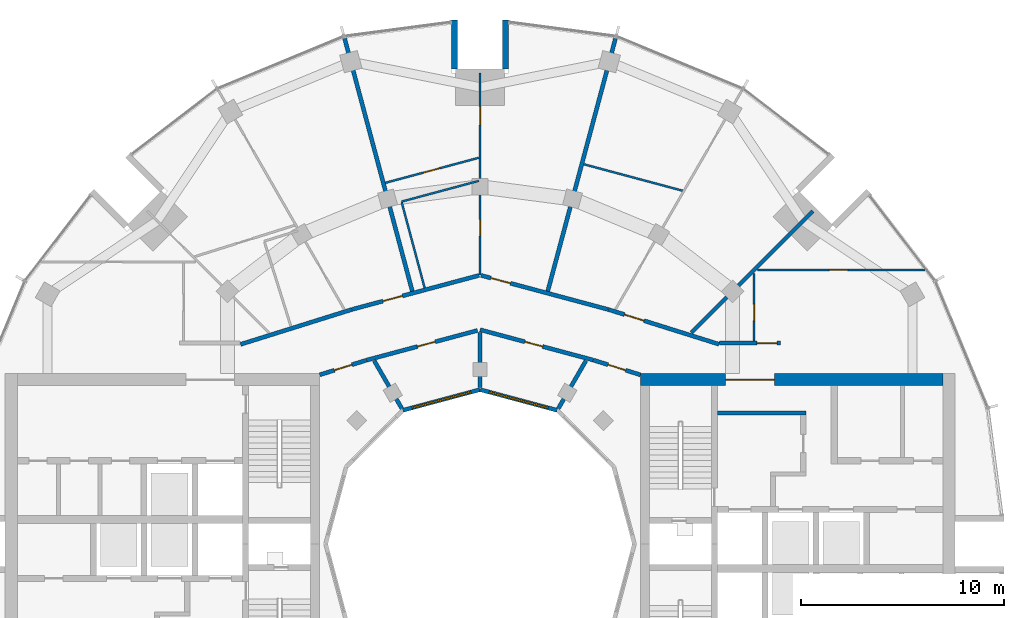
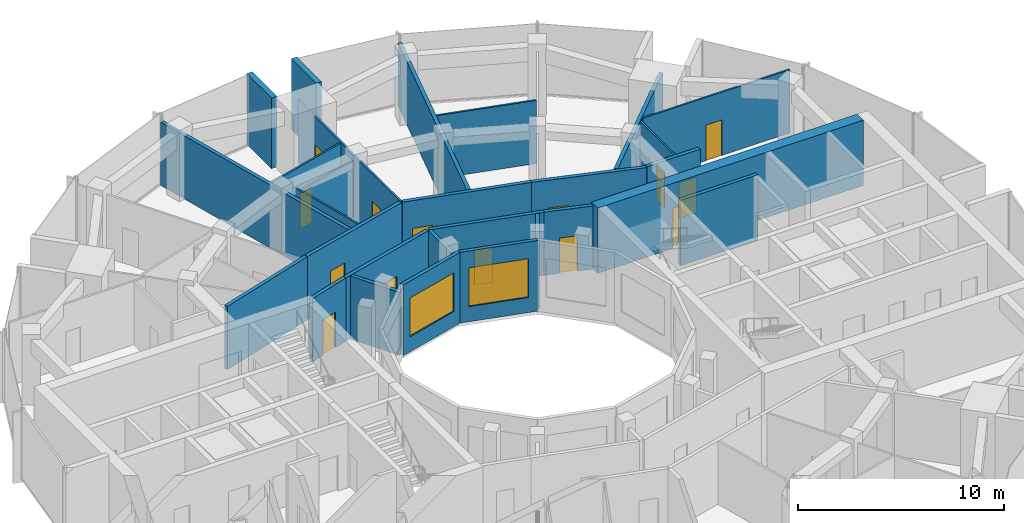
# One storey, part 12 of 15: 28 walls, 14 doors, 2 windows, 16 openings.
"""IFC4 building model written with IfcOpenShell, lengths in metres."""

from ifc_helpers import new_model, si_unit, direction, frame, frame_2d, origin, place, context, subcontext, project, spatial, rectangle, extrude, material, layer, layer_set, type_object, element, fill, save


model = new_model("IFC4")

# Units and contexts
model_context = context("Model", 3, precision=1e-05, world=origin(), true_north=direction((0.0, 1.0)))
body_context = subcontext(model_context, "Body", "Model", "MODEL_VIEW")
ifc_project = project(units=[si_unit("LENGTHUNIT", "METRE"), si_unit("AREAUNIT", "SQUARE_METRE"), si_unit("VOLUMEUNIT", "CUBIC_METRE"), si_unit("PLANEANGLEUNIT", "RADIAN"), si_unit("MASSUNIT", "GRAM", prefix="KILO")], contexts=[model_context])

# Site, building, storey
site_placement = place(None, origin())
site = spatial("IfcSite", under=ifc_project, at=site_placement, CompositionType="ELEMENT")
building_placement = place(site_placement, origin())
building = spatial("IfcBuilding", under=site, at=building_placement, Name="Torre Brocal", CompositionType="ELEMENT")
storey_placement = place(building_placement, frame((0.0, 0.0, 220.89990234375)))
storey = spatial("IfcBuildingStorey", under=building, at=storey_placement, Name="L51", CompositionType="ELEMENT", Elevation=220.89990234375)

# Wall
ifc_material_1 = material(Name="Concrete C60", Category="concrete")
ifc_layer_1 = layer(ifc_material_1, 0.199951171875)
ifc_layer_set_1 = layer_set([ifc_layer_1], Name="Concrete C60")
wall_type_1 = type_object("IfcWallType", Name="CORE WALL 200 C60", PredefinedType="SHEAR", material=ifc_layer_set_1)
wall_1_placement = place(storey_placement, frame((91.699951171875, 81.449951171875, 0.0), z_axis=(0.0, 0.0, 1.0), x_axis=(1.0, 0.0, 0.0)))
element("IfcWall", 1, at=wall_1_placement, inside=storey, type_object=wall_type_1, Name="Wall CW200-60", PredefinedType="SHEAR", context=body_context, shape_type="SweptSolid", body=[
    extrude(rectangle(XDim=4.35009765625, YDim=0.199951171875, at=frame_2d((2.175048828125, 0.0))), origin(), (0.0, 0.0, 1.0), 3.880126953125),
])

# Wall, opening, door
ifc_material_2 = material(Name="Concrete C60", Category="concrete")
ifc_layer_2 = layer(ifc_material_2, 0.60009765625)
ifc_layer_set_2 = layer_set([ifc_layer_2], Name="Concrete C60")
wall_type_2 = type_object("IfcWallType", Name="CORE WALL 600 C60", PredefinedType="SHEAR", material=ifc_layer_set_2)
wall_2_placement = place(storey_placement, frame((87.89990234375, 83.10009765625, 0.0), z_axis=(0.0, 0.0, 1.0), x_axis=(1.0, 0.0, 0.0)))
wall_2 = element("IfcWall", 2, at=wall_2_placement, inside=storey, type_object=wall_type_2, Name="Wall CW600-60", PredefinedType="SHEAR", context=body_context, shape_type="SweptSolid", body=[
    extrude(rectangle(XDim=14.900146484375, YDim=0.60009765625, at=frame_2d((7.4501953125, 0.0))), origin(), (0.0, 0.0, 1.0), 3.880126953125),
])
opening_1_placement = place(wall_2_placement, frame((4.199951171875, 0.0, 0.0)))
opening_1 = element("IfcOpeningElement", 3, at=opening_1_placement, cuts=wall_2, Name="Opening E-D34", PredefinedType="OPENING", context=body_context, shape_type="SweptSolid", body=[
    extrude(rectangle(XDim=2.39990234375, YDim=2.39990234375, at=frame_2d((1.199951171875, 1.199951171875))), frame((0.0, 0.31005859375, 0.0), z_axis=(0.0, -1.0, 0.0), x_axis=(1.0, 0.0, 0.0)), (0.0, 0.0, 1.0), 0.6201171875),
])
ifc_material_3 = material(Name="Steel A653", Category="steel")
door_type_1 = type_object("IfcDoorType", Name="DOUBLE FIRE DOOR FD90 2400X2400", OperationType="DOUBLE_DOOR_SINGLE_SWING", PredefinedType="DOOR", material=ifc_material_3)
door_1_placement = place(opening_1_placement, frame((2.39990234375, 0.0, 0.0), z_axis=(0.0, 0.0, 1.0), x_axis=(-1.0, 0.0, 0.0)))
door_1 = element("IfcDoor", 4, at=door_1_placement, inside=storey, type_object=door_type_1, Name="Door E-D34", OperationType="DOUBLE_DOOR_SINGLE_SWING", OverallHeight=2.39990234375, OverallWidth=2.39990234375, PredefinedType="DOOR", context=body_context, shape_type="SweptSolid", body=[
    extrude(rectangle(XDim=2.39990234375, YDim=2.39990234375, at=frame_2d((1.199951171875, 1.199951171875))), frame((0.0, 0.02490234375, 0.0), z_axis=(0.0, -1.0, 0.0), x_axis=(1.0, 0.0, 0.0)), (0.0, 0.0, 1.0), 0.050048828125),
])
fill(opening_1, door_1)

# Walls
ifc_material_4 = material(Name="Concrete C60", Category="concrete")
ifc_layer_3 = layer(ifc_material_4, 0.300048828125)
ifc_layer_set_3 = layer_set([ifc_layer_3], Name="Concrete C60")
wall_type_3 = type_object("IfcWallType", Name="NOTCH RETURN WALL 300 C60", PredefinedType="NOTDEFINED", material=ifc_layer_set_3)
for number, where, z_axis, x_axis, name in (
    (5, (81.25, 98.39990234375, 0.0), (0.0, 0.0, 1.0), (0.0, 1.0, 0.0), "NOTCH RETURN WALL"),
    (6, (78.75, 98.39990234375, 0.0), (0.0, 0.0, 1.0), (0.0, 1.0, 0.0), "NOTCH RETURN WALL"),
):
    element("IfcWall", number, at=place(storey_placement, frame(where, z_axis=z_axis, x_axis=x_axis)), inside=storey, type_object=wall_type_3, Name=name, PredefinedType="NOTDEFINED", context=body_context, shape_type="SweptSolid", body=[
        extrude(rectangle(XDim=2.415771484375, YDim=0.300048828125, at=frame_2d((1.2080078125, 0.0))), origin(), (0.0, 0.0, 1.0), 4.2001953125),
    ])

# Wall, opening, door
ifc_material_5 = material(Name="Gypsum board", Category="Gypsum")
ifc_layer_4 = layer(ifc_material_5, 0.10009765625)
ifc_layer_set_4 = layer_set([ifc_layer_4], Name="Gypsum board")
wall_type_4 = type_object("IfcWallType", Name="PARTITION 100", PredefinedType="PARTITIONING", material=ifc_layer_set_4)
wall_3_placement = place(storey_placement, frame((75.336669921875, 92.79296875, 0.0), z_axis=(0.0, 0.0, 1.0), x_axis=(0.965840336715, 0.259137886026, 0.0)))
wall_3 = element("IfcWall", 7, at=wall_3_placement, inside=storey, type_object=wall_type_4, Name="BATHROOM WALL", PredefinedType="PARTITIONING", context=body_context, shape_type="SweptSolid", body=[
    extrude(rectangle(XDim=4.76806640625, YDim=0.10009765625, at=frame_2d((2.384033203125, 0.0))), origin(), (0.0, 0.0, 1.0), 3.75),
])
opening_2_placement = place(wall_3_placement, frame((1.964111328125, 0.0, 0.0)))
opening_2 = element("IfcOpeningElement", 8, at=opening_2_placement, cuts=wall_3, Name="Opening B02-D09", PredefinedType="OPENING", context=body_context, shape_type="SweptSolid", body=[
    extrude(rectangle(XDim=0.800048828125, YDim=2.10009765625, at=frame_2d((0.39990234375, 1.050048828125))), frame((0.0, 0.06005859375, 0.0), z_axis=(0.0, -1.0, 0.0), x_axis=(1.0, 0.0, 0.0)), (0.0, 0.0, 1.0), 0.1201171875),
])
ifc_material_6 = material(Name="Timber", Category="wood")
door_type_2 = type_object("IfcDoorType", Name="BATHROOM DOOR 800X2100", OperationType="SINGLE_SWING_LEFT", PredefinedType="DOOR", material=ifc_material_6)
door_2_placement = place(opening_2_placement, frame((0.800048828125, 0.0, 0.0), z_axis=(0.0, 0.0, 1.0), x_axis=(-1.0, 0.0, 0.0)))
door_2 = element("IfcDoor", 9, at=door_2_placement, inside=storey, type_object=door_type_2, Name="B02-D09", OperationType="SINGLE_SWING_LEFT", OverallHeight=2.10009765625, OverallWidth=0.800048828125, PredefinedType="DOOR", context=body_context, shape_type="SweptSolid", body=[
    extrude(rectangle(XDim=0.800048828125, YDim=2.10009765625, at=frame_2d((0.39990234375, 1.050048828125))), frame((0.0, 0.02490234375, 0.0), z_axis=(0.0, -1.0, 0.0), x_axis=(1.0, 0.0, 0.0)), (0.0, 0.0, 1.0), 0.050048828125),
])
fill(opening_2, door_2)

# Wall
wall_4_placement = place(storey_placement, frame((76.14306640625, 91.818603515625, 0.0), z_axis=(0.0, 0.0, 1.0), x_axis=(0.259115794116, -0.965846263771, 0.0)))
element("IfcWall", 10, at=wall_4_placement, inside=storey, type_object=wall_type_4, Name="BATHROOM WALL", PredefinedType="PARTITIONING", context=body_context, shape_type="SweptSolid", body=[
    extrude(rectangle(XDim=4.34912109375, YDim=0.10009765625, at=frame_2d((2.174560546875, 0.0))), origin(), (0.0, 0.0, 1.0), 3.75),
])

# Wall, openings, doors
wall_5_placement = place(storey_placement, frame((80.0, 88.24609375, 0.0), z_axis=(0.0, 0.0, 1.0), x_axis=(0.0, 1.0, 0.0)))
wall_5 = element("IfcWall", 11, at=wall_5_placement, inside=storey, type_object=wall_type_4, Name="BATHROOM WALL", PredefinedType="PARTITIONING", context=body_context, shape_type="SweptSolid", body=[
    extrude(rectangle(XDim=9.953857421875, YDim=0.10009765625, at=frame_2d((4.97705078125, 0.0))), origin(), (0.0, 0.0, 1.0), 3.75),
])
opening_3_placement = place(wall_5_placement, frame((7.40087890625, 0.0, 0.0)))
opening_3 = element("IfcOpeningElement", 12, at=opening_3_placement, cuts=wall_5, Name="Opening B02-D08", PredefinedType="OPENING", context=body_context, shape_type="SweptSolid", body=[
    extrude(rectangle(XDim=0.89990234375, YDim=2.10009765625, at=frame_2d((0.449951171875, 1.050048828125))), frame((0.0, 0.06005859375, 0.0), z_axis=(0.0, -1.0, 0.0), x_axis=(1.0, 0.0, 0.0)), (0.0, 0.0, 1.0), 0.1201171875),
])
opening_4_placement = place(wall_5_placement, frame((1.939453125, 0.0, 0.0)))
opening_4 = element("IfcOpeningElement", 13, at=opening_4_placement, cuts=wall_5, Name="Opening B02-D10", PredefinedType="OPENING", context=body_context, shape_type="SweptSolid", body=[
    extrude(rectangle(XDim=0.800048828125, YDim=2.10009765625, at=frame_2d((0.39990234375, 1.050048828125))), frame((0.0, 0.06005859375, 0.0), z_axis=(0.0, -1.0, 0.0), x_axis=(1.0, 0.0, 0.0)), (0.0, 0.0, 1.0), 0.1201171875),
])
door_3_placement = place(opening_4_placement, origin())
door_3 = element("IfcDoor", 14, at=door_3_placement, inside=storey, type_object=door_type_2, Name="B02-D10", OperationType="SINGLE_SWING_RIGHT", OverallHeight=2.10009765625, OverallWidth=0.800048828125, PredefinedType="DOOR", context=body_context, shape_type="SweptSolid", body=[
    extrude(rectangle(XDim=0.800048828125, YDim=2.10009765625, at=frame_2d((0.39990234375, 1.050048828125))), frame((0.0, 0.02490234375, 0.0), z_axis=(0.0, -1.0, 0.0), x_axis=(1.0, 0.0, 0.0)), (0.0, 0.0, 1.0), 0.050048828125),
])
fill(opening_4, door_3)
ifc_material_7 = material(Name="Timber", Category="wood")
door_type_3 = type_object("IfcDoorType", Name="ROOM DOOR 900X2100", OperationType="SINGLE_SWING_LEFT", PredefinedType="DOOR", material=ifc_material_7)
door_4_placement = place(opening_3_placement, origin())
door_4 = element("IfcDoor", 15, at=door_4_placement, inside=storey, type_object=door_type_3, Name="B02-D08", OperationType="SINGLE_SWING_RIGHT", OverallHeight=2.10009765625, OverallWidth=0.89990234375, PredefinedType="DOOR", context=body_context, shape_type="SweptSolid", body=[
    extrude(rectangle(XDim=0.89990234375, YDim=2.10009765625, at=frame_2d((0.449951171875, 1.050048828125))), frame((0.0, 0.02490234375, 0.0), z_axis=(0.0, -1.0, 0.0), x_axis=(1.0, 0.0, 0.0)), (0.0, 0.0, 1.0), 0.050048828125),
])
fill(opening_3, door_4)

# Wall
wall_6_placement = place(storey_placement, frame((85.115478515625, 93.70703125, 0.0), z_axis=(0.0, 0.0, 1.0), x_axis=(0.965985898153, -0.258594749694, 0.0)))
element("IfcWall", 16, at=wall_6_placement, inside=storey, type_object=wall_type_4, Name="BATHROOM WALL", PredefinedType="PARTITIONING", context=body_context, shape_type="SweptSolid", body=[
    extrude(rectangle(XDim=5.036865234375, YDim=0.10009765625, at=frame_2d((2.5185546875, 0.0))), origin(), (0.0, 0.0, 1.0), 3.75),
])

# Wall, opening, door
wall_7_placement = place(storey_placement, frame((93.5, 85.0, 0.0), z_axis=(0.0, 0.0, 1.0), x_axis=(0.0, 1.0, 0.0)))
wall_7 = element("IfcWall", 17, at=wall_7_placement, inside=storey, type_object=wall_type_4, Name="BATHROOM WALL", PredefinedType="PARTITIONING", context=body_context, shape_type="SweptSolid", body=[
    extrude(rectangle(XDim=3.319091796875, YDim=0.10009765625, at=frame_2d((1.65966796875, 0.0))), origin(), (0.0, 0.0, 1.0), 3.75),
])
opening_5_placement = place(wall_7_placement, frame((0.99951171875, 0.0, 0.0)))
opening_5 = element("IfcOpeningElement", 18, at=opening_5_placement, cuts=wall_7, Name="Opening B02-D03", PredefinedType="OPENING", context=body_context, shape_type="SweptSolid", body=[
    extrude(rectangle(XDim=0.800048828125, YDim=2.10009765625, at=frame_2d((0.39990234375, 1.050048828125))), frame((0.0, 0.06005859375, 0.0), z_axis=(0.0, -1.0, 0.0), x_axis=(1.0, 0.0, 0.0)), (0.0, 0.0, 1.0), 0.1201171875),
])
door_5_placement = place(opening_5_placement, origin())
door_5 = element("IfcDoor", 19, at=door_5_placement, inside=storey, type_object=door_type_2, Name="B02-D03", OperationType="SINGLE_SWING_LEFT", OverallHeight=2.10009765625, OverallWidth=0.800048828125, PredefinedType="DOOR", context=body_context, shape_type="SweptSolid", body=[
    extrude(rectangle(XDim=0.800048828125, YDim=2.10009765625, at=frame_2d((0.39990234375, 1.050048828125))), frame((0.0, 0.02490234375, 0.0), z_axis=(0.0, -1.0, 0.0), x_axis=(1.0, 0.0, 0.0)), (0.0, 0.0, 1.0), 0.050048828125),
])
fill(opening_5, door_5)

wall_8_placement = place(storey_placement, frame((93.680908203125, 88.5, 0.0), z_axis=(0.0, 0.0, 1.0), x_axis=(1.0, 0.0, 0.0)))
wall_8 = element("IfcWall", 20, at=wall_8_placement, inside=storey, type_object=wall_type_4, Name="ROOM PARTITION", PredefinedType="PARTITIONING", context=body_context, shape_type="SweptSolid", body=[
    extrude(rectangle(XDim=8.2470703125, YDim=0.10009765625, at=frame_2d((4.12353515625, 0.0))), origin(), (0.0, 0.0, 1.0), 3.75),
])
opening_6_placement = place(wall_8_placement, frame((3.534912109375, 0.0, 0.0)))
opening_6 = element("IfcOpeningElement", 21, at=opening_6_placement, cuts=wall_8, Name="Opening B02-D01", PredefinedType="OPENING", context=body_context, shape_type="SweptSolid", body=[
    extrude(rectangle(XDim=0.89990234375, YDim=2.10009765625, at=frame_2d((0.449951171875, 1.050048828125))), frame((0.0, 0.06005859375, 0.0), z_axis=(0.0, -1.0, 0.0), x_axis=(1.0, 0.0, 0.0)), (0.0, 0.0, 1.0), 0.1201171875),
])
door_6_placement = place(opening_6_placement, origin())
door_6 = element("IfcDoor", 22, at=door_6_placement, inside=storey, type_object=door_type_3, Name="B02-D01", OperationType="SINGLE_SWING_LEFT", OverallHeight=2.10009765625, OverallWidth=0.89990234375, PredefinedType="DOOR", context=body_context, shape_type="SweptSolid", body=[
    extrude(rectangle(XDim=0.89990234375, YDim=2.10009765625, at=frame_2d((0.449951171875, 1.050048828125))), frame((0.0, 0.02490234375, 0.0), z_axis=(0.0, -1.0, 0.0), x_axis=(1.0, 0.0, 0.0)), (0.0, 0.0, 1.0), 0.050048828125),
])
fill(opening_6, door_6)

# Walls
ifc_material_8 = material(Name="Gypsum board", Category="Gypsum")
ifc_layer_5 = layer(ifc_material_8, 0.10009765625)
ifc_layer_set_5 = layer_set([ifc_layer_5], Name="Gypsum board")
wall_type_5 = type_object("IfcWallType", Name="PARTITION 100 UNDER BEAM 820", PredefinedType="PARTITIONING", material=ifc_layer_set_5)
wall_9_placement = place(storey_placement, frame((76.1298828125, 91.866943359375, 0.0), z_axis=(0.0, 0.0, 1.0), x_axis=(0.965860204905, 0.259063823373, 0.0)))
element("IfcWall", 23, at=wall_9_placement, inside=storey, type_object=wall_type_5, Name="BATHROOM WALL", PredefinedType="PARTITIONING", context=body_context, shape_type="SweptSolid", body=[
    extrude(rectangle(XDim=3.94677734375, YDim=0.10009765625, at=frame_2d((1.973388671875, 0.0))), origin(), (0.0, 0.0, 1.0), 3.380126953125),
])
ifc_material_9 = material(Name="Gypsum board", Category="Gypsum")
ifc_layer_6 = layer(ifc_material_9, 0.199951171875)
ifc_layer_set_6 = layer_set([ifc_layer_6], Name="Gypsum board")
wall_type_6 = type_object("IfcWallType", Name="PARTITION 200 EI60", PredefinedType="PARTITIONING", material=ifc_layer_set_6)
wall_10_placement = place(storey_placement, frame((68.19970703125, 84.833740234375, 0.0), z_axis=(0.0, 0.0, 1.0), x_axis=(0.954260265251, 0.298977166624, 0.0)))
element("IfcWall", 24, at=wall_10_placement, inside=storey, type_object=wall_type_6, Name="FLAT ENTRANCE WALL", PredefinedType="PARTITIONING", context=body_context, shape_type="SweptSolid", body=[
    extrude(rectangle(XDim=5.74072265625, YDim=0.199951171875, at=frame_2d((2.870361328125, 0.0))), origin(), (0.0, 0.0, 1.0), 3.75),
])

# Wall, opening, door
wall_11_placement = place(storey_placement, frame((72.10009765625, 83.33203125, 0.0), z_axis=(0.0, 0.0, 1.0), x_axis=(0.954233106619, 0.299063836383, 0.0)))
wall_11 = element("IfcWall", 25, at=wall_11_placement, inside=storey, type_object=wall_type_6, Name="CORRIDOR WALL", PredefinedType="PARTITIONING", context=body_context, shape_type="SweptSolid", body=[
    extrude(rectangle(XDim=2.4140625, YDim=0.199951171875, at=frame_2d((1.20703125, 0.0))), origin(), (0.0, 0.0, 1.0), 3.75),
])
opening_7_placement = place(wall_11_placement, frame((0.761962890625, 0.0, 0.0)))
opening_7 = element("IfcOpeningElement", 26, at=opening_7_placement, cuts=wall_11, Name="Opening B02-D21", PredefinedType="OPENING", context=body_context, shape_type="SweptSolid", body=[
    extrude(rectangle(XDim=0.89990234375, YDim=2.10009765625, at=frame_2d((0.449951171875, 1.050048828125))), frame((0.0, 0.10986328125, 0.0), z_axis=(0.0, -1.0, 0.0), x_axis=(1.0, 0.0, 0.0)), (0.0, 0.0, 1.0), 0.219970703125),
])
door_7_placement = place(opening_7_placement, frame((0.89990234375, 0.0, 0.0), z_axis=(0.0, 0.0, 1.0), x_axis=(-1.0, 0.0, 0.0)))
door_7 = element("IfcDoor", 27, at=door_7_placement, inside=storey, type_object=door_type_3, Name="B02-D21", OperationType="SINGLE_SWING_RIGHT", OverallHeight=2.10009765625, OverallWidth=0.89990234375, PredefinedType="DOOR", context=body_context, shape_type="SweptSolid", body=[
    extrude(rectangle(XDim=0.89990234375, YDim=2.10009765625, at=frame_2d((0.449951171875, 1.050048828125))), frame((0.0, 0.02490234375, 0.0), z_axis=(0.0, -1.0, 0.0), x_axis=(1.0, 0.0, 0.0)), (0.0, 0.0, 1.0), 0.050048828125),
])
fill(opening_7, door_7)

# Wall
wall_12_placement = place(storey_placement, frame((73.3232421875, 99.91943359375, 0.0), z_axis=(0.0, 0.0, 1.0), x_axis=(0.258768239436, -0.965939438194, 0.0)))
element("IfcWall", 28, at=wall_12_placement, inside=storey, type_object=wall_type_6, Name="BATHROOM WALL", PredefinedType="PARTITIONING", context=body_context, shape_type="SweptSolid", body=[
    extrude(rectangle(XDim=12.90380859375, YDim=0.199951171875, at=frame_2d((6.451904296875, 0.0))), origin(), (0.0, 0.0, 1.0), 3.75),
])

# Wall, opening, door
wall_13_placement = place(storey_placement, frame((73.68701171875, 86.55419921875, 0.0), z_axis=(0.0, 0.0, 1.0), x_axis=(0.96595258731, 0.258719150952, 0.0)))
wall_13 = element("IfcWall", 29, at=wall_13_placement, inside=storey, type_object=wall_type_6, Name="FLAT ENTRANCE WALL", PredefinedType="PARTITIONING", context=body_context, shape_type="SweptSolid", body=[
    extrude(rectangle(XDim=6.485595703125, YDim=0.199951171875, at=frame_2d((3.24267578125, 0.0))), origin(), (0.0, 0.0, 1.0), 3.75),
])
opening_8_placement = place(wall_13_placement, frame((1.57763671875, 0.0, 0.0)))
opening_8 = element("IfcOpeningElement", 30, at=opening_8_placement, cuts=wall_13, Name="Opening B02-D11", PredefinedType="OPENING", context=body_context, shape_type="SweptSolid", body=[
    extrude(rectangle(XDim=1.0, YDim=2.10009765625, at=frame_2d((0.5, 1.050048828125))), frame((0.0, 0.10986328125, 0.0), z_axis=(0.0, -1.0, 0.0), x_axis=(1.0, 0.0, 0.0)), (0.0, 0.0, 1.0), 0.219970703125),
])
ifc_material_10 = material(Name="Timber", Category="wood")
door_type_4 = type_object("IfcDoorType", Name="FLAT ENTRY DOOR FD30S 1000X2100", OperationType="SINGLE_SWING_RIGHT", PredefinedType="DOOR", material=ifc_material_10)
door_8_placement = place(opening_8_placement, origin())
door_8 = element("IfcDoor", 31, at=door_8_placement, inside=storey, type_object=door_type_4, Name="B02-D11", OperationType="SINGLE_SWING_RIGHT", OverallHeight=2.10009765625, OverallWidth=1.0, PredefinedType="DOOR", context=body_context, shape_type="SweptSolid", body=[
    extrude(rectangle(XDim=1.0, YDim=2.10009765625, at=frame_2d((0.5, 1.050048828125))), frame((0.0, 0.02490234375, 0.0), z_axis=(0.0, -1.0, 0.0), x_axis=(1.0, 0.0, 0.0)), (0.0, 0.0, 1.0), 0.050048828125),
])
fill(opening_8, door_8)

wall_14_placement = place(storey_placement, frame((74.4130859375, 84.056884765625, 0.0), z_axis=(0.0, 0.0, 1.0), x_axis=(0.965972135939, 0.258646153246, 0.0)))
wall_14 = element("IfcWall", 32, at=wall_14_placement, inside=storey, type_object=wall_type_6, Name="CORRIDOR WALL", PredefinedType="PARTITIONING", context=body_context, shape_type="SweptSolid", body=[
    extrude(rectangle(XDim=5.654052734375, YDim=0.199951171875, at=frame_2d((2.8271484375, 0.0))), origin(), (0.0, 0.0, 1.0), 3.75),
])
opening_9_placement = place(wall_14_placement, frame((2.5927734375, 0.0, 0.0)))
opening_9 = element("IfcOpeningElement", 33, at=opening_9_placement, cuts=wall_14, Name="Opening B02-D20", PredefinedType="OPENING", context=body_context, shape_type="SweptSolid", body=[
    extrude(rectangle(XDim=0.89990234375, YDim=2.10009765625, at=frame_2d((0.449951171875, 1.050048828125))), frame((0.0, 0.10986328125, 0.0), z_axis=(0.0, -1.0, 0.0), x_axis=(1.0, 0.0, 0.0)), (0.0, 0.0, 1.0), 0.219970703125),
])
door_9_placement = place(opening_9_placement, frame((0.89990234375, 0.0, 0.0), z_axis=(0.0, 0.0, 1.0), x_axis=(-1.0, 0.0, 0.0)))
door_9 = element("IfcDoor", 34, at=door_9_placement, inside=storey, type_object=door_type_3, Name="B02-D20", OperationType="SINGLE_SWING_RIGHT", OverallHeight=2.10009765625, OverallWidth=0.89990234375, PredefinedType="DOOR", context=body_context, shape_type="SweptSolid", body=[
    extrude(rectangle(XDim=0.89990234375, YDim=2.10009765625, at=frame_2d((0.449951171875, 1.050048828125))), frame((0.0, 0.02490234375, 0.0), z_axis=(0.0, -1.0, 0.0), x_axis=(1.0, 0.0, 0.0)), (0.0, 0.0, 1.0), 0.050048828125),
])
fill(opening_9, door_9)

# Walls
wall_15_placement = place(storey_placement, frame((74.787353515625, 84.027099609375, 0.0), z_axis=(0.0, 0.0, 1.0), x_axis=(0.500079107518, -0.86597972622, 0.0)))
element("IfcWall", 35, at=wall_15_placement, inside=storey, type_object=wall_type_6, Name="SERVICE ROOM WALL", PredefinedType="PARTITIONING", context=body_context, shape_type="SweptSolid", body=[
    extrude(rectangle(XDim=2.7255859375, YDim=0.199951171875, at=frame_2d((1.36279296875, 0.0))), origin(), (0.0, 0.0, 1.0), 3.75),
])
wall_16_placement = place(storey_placement, frame((80.0, 82.698974609375, 0.0), z_axis=(0.0, 0.0, 1.0), x_axis=(0.0, 1.0, 0.0)))
element("IfcWall", 36, at=wall_16_placement, inside=storey, type_object=wall_type_6, Name="SERVICE ROOM WALL", PredefinedType="PARTITIONING", context=body_context, shape_type="SweptSolid", body=[
    extrude(rectangle(XDim=2.72509765625, YDim=0.199951171875, at=frame_2d((1.362548828125, 0.0))), origin(), (0.0, 0.0, 1.0), 3.75),
])

# Wall, opening, door
wall_17_placement = place(storey_placement, frame((80.0, 85.553955078125, 0.0), z_axis=(0.0, 0.0, 1.0), x_axis=(0.965928989968, -0.258807237802, 0.0)))
wall_17 = element("IfcWall", 37, at=wall_17_placement, inside=storey, type_object=wall_type_6, Name="CORRIDOR WALL", PredefinedType="PARTITIONING", context=body_context, shape_type="SweptSolid", body=[
    extrude(rectangle(XDim=5.774169921875, YDim=0.199951171875, at=frame_2d((2.88720703125, 0.0))), origin(), (0.0, 0.0, 1.0), 3.75),
])
opening_10_placement = place(wall_17_placement, frame((2.29150390625, 0.0, 0.0)))
opening_10 = element("IfcOpeningElement", 38, at=opening_10_placement, cuts=wall_17, Name="Opening B02-D19", PredefinedType="OPENING", context=body_context, shape_type="SweptSolid", body=[
    extrude(rectangle(XDim=0.89990234375, YDim=2.10009765625, at=frame_2d((0.449951171875, 1.050048828125))), frame((0.0, 0.10986328125, 0.0), z_axis=(0.0, -1.0, 0.0), x_axis=(1.0, 0.0, 0.0)), (0.0, 0.0, 1.0), 0.219970703125),
])
door_10_placement = place(opening_10_placement, frame((0.89990234375, 0.0, 0.0), z_axis=(0.0, 0.0, 1.0), x_axis=(-1.0, 0.0, 0.0)))
door_10 = element("IfcDoor", 39, at=door_10_placement, inside=storey, type_object=door_type_3, Name="B02-D19", OperationType="SINGLE_SWING_LEFT", OverallHeight=2.10009765625, OverallWidth=0.89990234375, PredefinedType="DOOR", context=body_context, shape_type="SweptSolid", body=[
    extrude(rectangle(XDim=0.89990234375, YDim=2.10009765625, at=frame_2d((0.449951171875, 1.050048828125))), frame((0.0, 0.02490234375, 0.0), z_axis=(0.0, -1.0, 0.0), x_axis=(1.0, 0.0, 0.0)), (0.0, 0.0, 1.0), 0.050048828125),
])
fill(opening_10, door_10)

wall_18_placement = place(storey_placement, frame((80.04833984375, 88.233154296875, 0.0), z_axis=(0.0, 0.0, 1.0), x_axis=(0.965865387308, -0.259044501198, 0.0)))
wall_18 = element("IfcWall", 40, at=wall_18_placement, inside=storey, type_object=wall_type_6, Name="FLAT ENTRANCE WALL", PredefinedType="PARTITIONING", context=body_context, shape_type="SweptSolid", body=[
    extrude(rectangle(XDim=6.4755859375, YDim=0.199951171875, at=frame_2d((3.23779296875, 0.0))), origin(), (0.0, 0.0, 1.0), 3.75),
])
opening_11_placement = place(wall_18_placement, frame((0.5, 0.0, 0.0)))
opening_11 = element("IfcOpeningElement", 41, at=opening_11_placement, cuts=wall_18, Name="Opening B02-D07", PredefinedType="OPENING", context=body_context, shape_type="SweptSolid", body=[
    extrude(rectangle(XDim=1.0, YDim=2.10009765625, at=frame_2d((0.5, 1.050048828125))), frame((0.0, 0.10986328125, 0.0), z_axis=(0.0, -1.0, 0.0), x_axis=(1.0, 0.0, 0.0)), (0.0, 0.0, 1.0), 0.219970703125),
])
door_11_placement = place(opening_11_placement, origin())
door_11 = element("IfcDoor", 42, at=door_11_placement, inside=storey, type_object=door_type_4, Name="B02-D07", OperationType="SINGLE_SWING_LEFT", OverallHeight=2.10009765625, OverallWidth=1.0, PredefinedType="DOOR", context=body_context, shape_type="SweptSolid", body=[
    extrude(rectangle(XDim=1.0, YDim=2.10009765625, at=frame_2d((0.5, 1.050048828125))), frame((0.0, 0.02490234375, 0.0), z_axis=(0.0, -1.0, 0.0), x_axis=(1.0, 0.0, 0.0)), (0.0, 0.0, 1.0), 0.050048828125),
])
fill(opening_11, door_11)

# Walls
wall_19_placement = place(storey_placement, frame((83.336669921875, 87.455078125, 0.0), z_axis=(0.0, 0.0, 1.0), x_axis=(0.258878883978, 0.965909790524, 0.0)))
element("IfcWall", 43, at=wall_19_placement, inside=storey, type_object=wall_type_6, Name="BATHROOM WALL", PredefinedType="PARTITIONING", context=body_context, shape_type="SweptSolid", body=[
    extrude(rectangle(XDim=12.904052734375, YDim=0.199951171875, at=frame_2d((6.4521484375, 0.0))), origin(), (0.0, 0.0, 1.0), 3.75),
])
wall_20_placement = place(storey_placement, frame((83.851806640625, 81.665283203125, 0.0), z_axis=(0.0, 0.0, 1.0), x_axis=(0.500146274735, 0.865940935554, 0.0)))
element("IfcWall", 44, at=wall_20_placement, inside=storey, type_object=wall_type_6, Name="SERVICE ROOM WALL", PredefinedType="PARTITIONING", context=body_context, shape_type="SweptSolid", body=[
    extrude(rectangle(XDim=2.725830078125, YDim=0.199951171875, at=frame_2d((1.36279296875, 0.0))), origin(), (0.0, 0.0, 1.0), 3.75),
])

# Wall, opening, door
wall_21_placement = place(storey_placement, frame((85.5869140625, 84.056884765625, 0.0), z_axis=(0.0, 0.0, 1.0), x_axis=(0.954239513179, -0.299043393987, 0.0)))
wall_21 = element("IfcWall", 45, at=wall_21_placement, inside=storey, type_object=wall_type_6, Name="CORRIDOR WALL", PredefinedType="PARTITIONING", context=body_context, shape_type="SweptSolid", body=[
    extrude(rectangle(XDim=2.423828125, YDim=0.199951171875, at=frame_2d((1.2119140625, 0.0))), origin(), (0.0, 0.0, 1.0), 3.75),
])
opening_12_placement = place(wall_21_placement, frame((0.761962890625, 0.0, 0.0)))
opening_12 = element("IfcOpeningElement", 46, at=opening_12_placement, cuts=wall_21, Name="Opening B02-D18", PredefinedType="OPENING", context=body_context, shape_type="SweptSolid", body=[
    extrude(rectangle(XDim=0.89990234375, YDim=2.10009765625, at=frame_2d((0.449951171875, 1.050048828125))), frame((0.0, 0.10986328125, 0.0), z_axis=(0.0, -1.0, 0.0), x_axis=(1.0, 0.0, 0.0)), (0.0, 0.0, 1.0), 0.219970703125),
])
door_12_placement = place(opening_12_placement, frame((0.89990234375, 0.0, 0.0), z_axis=(0.0, 0.0, 1.0), x_axis=(-1.0, 0.0, 0.0)))
door_12 = element("IfcDoor", 47, at=door_12_placement, inside=storey, type_object=door_type_3, Name="B02-D18", OperationType="SINGLE_SWING_LEFT", OverallHeight=2.10009765625, OverallWidth=0.89990234375, PredefinedType="DOOR", context=body_context, shape_type="SweptSolid", body=[
    extrude(rectangle(XDim=0.89990234375, YDim=2.10009765625, at=frame_2d((0.449951171875, 1.050048828125))), frame((0.0, 0.02490234375, 0.0), z_axis=(0.0, -1.0, 0.0), x_axis=(1.0, 0.0, 0.0)), (0.0, 0.0, 1.0), 0.050048828125),
])
fill(opening_12, door_12)

wall_22_placement = place(storey_placement, frame((86.31298828125, 86.554443359375, 0.0), z_axis=(0.0, 0.0, 1.0), x_axis=(0.954081217458, -0.299548043717, 0.0)))
wall_22 = element("IfcWall", 48, at=wall_22_placement, inside=storey, type_object=wall_type_6, Name="FLAT ENTRANCE WALL", PredefinedType="PARTITIONING", context=body_context, shape_type="SweptSolid", body=[
    extrude(rectangle(XDim=5.720703125, YDim=0.199951171875, at=frame_2d((2.8603515625, 0.0))), origin(), (0.0, 0.0, 1.0), 3.75),
])
opening_13_placement = place(wall_22_placement, frame((0.84765625, 0.0, 0.0)))
opening_13 = element("IfcOpeningElement", 49, at=opening_13_placement, cuts=wall_22, Name="Opening B02-D04", PredefinedType="OPENING", context=body_context, shape_type="SweptSolid", body=[
    extrude(rectangle(XDim=1.0, YDim=2.10009765625, at=frame_2d((0.5, 1.050048828125))), frame((0.0, 0.10986328125, 0.0), z_axis=(0.0, -1.0, 0.0), x_axis=(1.0, 0.0, 0.0)), (0.0, 0.0, 1.0), 0.219970703125),
])
door_13_placement = place(opening_13_placement, origin())
door_13 = element("IfcDoor", 50, at=door_13_placement, inside=storey, type_object=door_type_4, Name="B02-D04", OperationType="SINGLE_SWING_LEFT", OverallHeight=2.10009765625, OverallWidth=1.0, PredefinedType="DOOR", context=body_context, shape_type="SweptSolid", body=[
    extrude(rectangle(XDim=1.0, YDim=2.10009765625, at=frame_2d((0.5, 1.050048828125))), frame((0.0, 0.02490234375, 0.0), z_axis=(0.0, -1.0, 0.0), x_axis=(1.0, 0.0, 0.0)), (0.0, 0.0, 1.0), 0.050048828125),
])
fill(opening_13, door_13)

# Wall
wall_23_placement = place(storey_placement, frame((90.416015625, 85.416259765625, 0.0), z_axis=(0.0, 0.0, 1.0), x_axis=(0.707222076599, 0.706991466971, 0.0)))
element("IfcWall", 51, at=wall_23_placement, inside=storey, type_object=wall_type_6, Name="BATHROOM WALL", PredefinedType="PARTITIONING", context=body_context, shape_type="SweptSolid", body=[
    extrude(rectangle(XDim=8.469482421875, YDim=0.199951171875, at=frame_2d((4.23486328125, 0.0))), origin(), (0.0, 0.0, 1.0), 3.75),
])

# Wall, opening, door
wall_24_placement = place(storey_placement, frame((91.800048828125, 84.89990234375, 0.0), z_axis=(0.0, 0.0, 1.0), x_axis=(1.0, 0.0, 0.0)))
wall_24 = element("IfcWall", 52, at=wall_24_placement, inside=storey, type_object=wall_type_6, Name="FLAT ENTRANCE WALL", PredefinedType="PARTITIONING", context=body_context, shape_type="SweptSolid", body=[
    extrude(rectangle(XDim=3.0, YDim=0.199951171875, at=frame_2d((1.5, 0.0))), origin(), (0.0, 0.0, 1.0), 3.75),
])
opening_14_placement = place(wall_24_placement, frame((1.840087890625, 0.0, 0.0)))
opening_14 = element("IfcOpeningElement", 53, at=opening_14_placement, cuts=wall_24, Name="Opening B02-D02", PredefinedType="OPENING", context=body_context, shape_type="SweptSolid", body=[
    extrude(rectangle(XDim=1.0, YDim=2.10009765625, at=frame_2d((0.5, 1.050048828125))), frame((0.0, 0.10986328125, 0.0), z_axis=(0.0, -1.0, 0.0), x_axis=(1.0, 0.0, 0.0)), (0.0, 0.0, 1.0), 0.219970703125),
])
door_14_placement = place(opening_14_placement, origin())
door_14 = element("IfcDoor", 54, at=door_14_placement, inside=storey, type_object=door_type_4, Name="B02-D02", OperationType="SINGLE_SWING_LEFT", OverallHeight=2.10009765625, OverallWidth=1.0, PredefinedType="DOOR", context=body_context, shape_type="SweptSolid", body=[
    extrude(rectangle(XDim=1.0, YDim=2.10009765625, at=frame_2d((0.5, 1.050048828125))), frame((0.0, 0.02490234375, 0.0), z_axis=(0.0, -1.0, 0.0), x_axis=(1.0, 0.0, 0.0)), (0.0, 0.0, 1.0), 0.050048828125),
])
fill(opening_14, door_14)

# Wall, opening, window
ifc_material_11 = material(Name="Concrete C40", Category="concrete")
ifc_layer_7 = layer(ifc_material_11, 0.199951171875)
ifc_layer_set_7 = layer_set([ifc_layer_7], Name="Concrete C40")
wall_type_7 = type_object("IfcWallType", Name="WELL FACADE WALL 200", PredefinedType="NOTDEFINED", material=ifc_layer_set_7)
wall_25_placement = place(storey_placement, frame((83.8017578125, 81.5849609375, 0.0), z_axis=(0.0, 0.0, 1.0), x_axis=(-0.965933654434, 0.258789828301, 0.0)))
wall_25 = element("IfcWall", 55, at=wall_25_placement, inside=storey, type_object=wall_type_7, Name="WELL FACADE WALL", PredefinedType="NOTDEFINED", context=body_context, shape_type="SweptSolid", body=[
    extrude(rectangle(XDim=3.935791015625, YDim=0.199951171875, at=frame_2d((1.9677734375, 0.0))), origin(), (0.0, 0.0, 1.0), 4.2001953125),
])
opening_15_placement = place(wall_25_placement, frame((0.468017578125, 0.0, 0.89990234375)))
opening_15 = element("IfcOpeningElement", 56, at=opening_15_placement, cuts=wall_25, Name="Opening W1", PredefinedType="OPENING", context=body_context, shape_type="SweptSolid", body=[
    extrude(rectangle(XDim=3.0, YDim=2.300048828125, at=frame_2d((1.5, 1.14990234375))), frame((0.0, 0.10986328125, 0.0), z_axis=(0.0, -1.0, 0.0), x_axis=(1.0, 0.0, 0.0)), (0.0, 0.0, 1.0), 0.219970703125),
])
ifc_material_12 = material(Name="Aluminium and glass", Category="aluminium")
window_type = type_object("IfcWindowType", Name="WELL WINDOW 3000X2300", PartitioningType="SINGLE_PANEL", PredefinedType="WINDOW", material=ifc_material_12)
window_1_placement = place(opening_15_placement, origin())
window_1 = element("IfcWindow", 57, at=window_1_placement, inside=storey, type_object=window_type, Name="WELL WINDOW 3000X2300", OverallHeight=2.300048828125, OverallWidth=3.0, PartitioningType="SINGLE_PANEL", PredefinedType="WINDOW", context=body_context, shape_type="SweptSolid", body=[
    extrude(rectangle(XDim=3.0, YDim=2.300048828125, at=frame_2d((1.5, 1.14990234375))), frame((0.0, 0.030029296875, 0.0), z_axis=(0.0, -1.0, 0.0), x_axis=(1.0, 0.0, 0.0)), (0.0, 0.0, 1.0), 0.06005859375),
])
fill(opening_15, window_1)

wall_26_placement = place(storey_placement, frame((80.0, 82.603515625, 0.0), z_axis=(0.0, 0.0, 1.0), x_axis=(-0.965933654434, -0.258789828301, 0.0)))
wall_26 = element("IfcWall", 58, at=wall_26_placement, inside=storey, type_object=wall_type_7, Name="WELL FACADE WALL", PredefinedType="NOTDEFINED", context=body_context, shape_type="SweptSolid", body=[
    extrude(rectangle(XDim=3.935791015625, YDim=0.199951171875, at=frame_2d((1.9677734375, 0.0))), origin(), (0.0, 0.0, 1.0), 4.2001953125),
])
opening_16_placement = place(wall_26_placement, frame((0.468017578125, 0.0, 0.89990234375)))
opening_16 = element("IfcOpeningElement", 59, at=opening_16_placement, cuts=wall_26, Name="Opening W1", PredefinedType="OPENING", context=body_context, shape_type="SweptSolid", body=[
    extrude(rectangle(XDim=3.0, YDim=2.300048828125, at=frame_2d((1.5, 1.14990234375))), frame((0.0, 0.10986328125, 0.0), z_axis=(0.0, -1.0, 0.0), x_axis=(1.0, 0.0, 0.0)), (0.0, 0.0, 1.0), 0.219970703125),
])
window_2_placement = place(opening_16_placement, origin())
window_2 = element("IfcWindow", 60, at=window_2_placement, inside=storey, type_object=window_type, Name="WELL WINDOW 3000X2300", OverallHeight=2.300048828125, OverallWidth=3.0, PartitioningType="SINGLE_PANEL", PredefinedType="WINDOW", context=body_context, shape_type="SweptSolid", body=[
    extrude(rectangle(XDim=3.0, YDim=2.300048828125, at=frame_2d((1.5, 1.14990234375))), frame((0.0, 0.030029296875, 0.0), z_axis=(0.0, -1.0, 0.0), x_axis=(1.0, 0.0, 0.0)), (0.0, 0.0, 1.0), 0.06005859375),
])
fill(opening_16, window_2)

save(model, "model.ifc")
